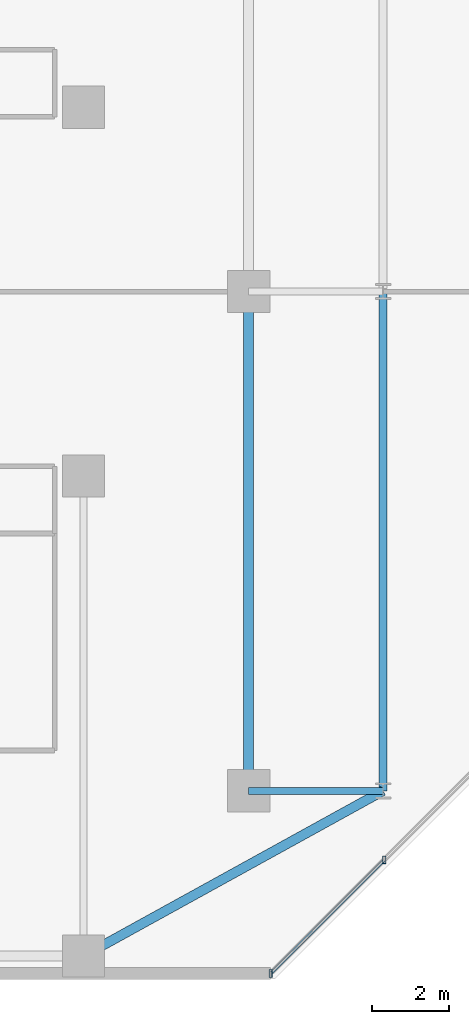
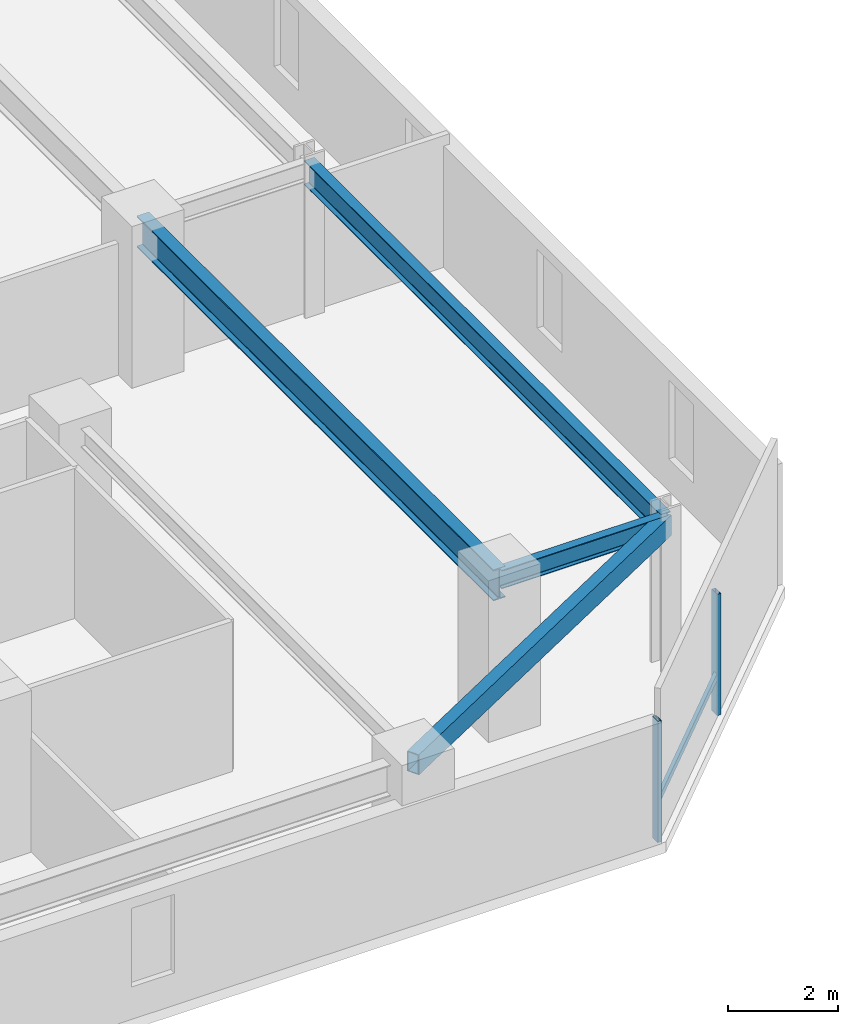
# One storey, part 5 of 32: 4 beams, 3 members, 1 element without a shape of its own.
"""IFC4 building model written with IfcOpenShell, lengths in metres."""

from ifc_helpers import new_model, si_unit, direction, frame, origin, origin_2d, place, context, subcontext, project, spatial, hollow_rectangle, i_section, extrude, material, material_profile, profile_set, type_object, element, aggregate, save


model = new_model("IFC4")

# Units and contexts
model_context = context("Model", 3, precision=1e-05, world=origin(), true_north=direction((0.0, 1.0)))
body_context = subcontext(model_context, "Body", "Model", "MODEL_VIEW")
ifc_project = project(units=[si_unit("LENGTHUNIT", "METRE"), si_unit("AREAUNIT", "SQUARE_METRE"), si_unit("VOLUMEUNIT", "CUBIC_METRE"), si_unit("PLANEANGLEUNIT", "RADIAN"), si_unit("MASSUNIT", "GRAM", prefix="KILO")], contexts=[model_context])

# Site, building, storey
site_placement = place(None, origin())
site = spatial("IfcSite", under=ifc_project, at=site_placement, CompositionType="ELEMENT")
building_placement = place(site_placement, origin())
building = spatial("IfcBuilding", under=site, at=building_placement, Name="Thornwick Lancets Civic Towers", CompositionType="ELEMENT")
storey_placement = place(building_placement, frame((0.0, 0.0, 178.5)))
storey = spatial("IfcBuildingStorey", under=building, at=storey_placement, Name="L47", CompositionType="ELEMENT", Elevation=178.5)

# Beams
ifc_material_1 = material(Name="Steel S355JR", Category="steel")
ifc_material_profile_1 = material_profile(ifc_material_1, i_section(OverallWidth=0.210693359375, OverallDepth=0.53955078125, WebThickness=0.01171875, FlangeThickness=0.018798828125, FilletRadius=0.0126953125, at=origin_2d()), Name="UKB 533x210x109")
ifc_profile_set_1 = profile_set([ifc_material_profile_1], Name="Steel S355JR")
beam_type_1 = type_object("IfcBeamType", Name="BM_EDGE_533_109", PredefinedType="SPANDREL", material=ifc_profile_set_1)
beam_1_placement = place(storey_placement, frame((46.300048828125, 14.0, 3.09033203125), z_axis=(0.0, 1.0, 0.0), x_axis=(-1.0, 0.0, 0.0)))
element("IfcBeam", 1, at=beam_1_placement, inside=storey, type_object=beam_type_1, Name="BM-EDGE-L47-A-S1-1", PredefinedType="SPANDREL", context=body_context, shape_type="SweptSolid", body=[
    extrude(i_section(OverallWidth=0.210693359375, OverallDepth=0.53955078125, WebThickness=0.01171875, FlangeThickness=0.018798828125, FilletRadius=0.0126953125, at=origin_2d()), origin(), (0.0, 0.0, 1.0), 13.0),
])
ifc_material_profile_2 = material_profile(ifc_material_1, i_section(OverallWidth=0.255859375, OverallDepth=0.69287109375, WebThickness=0.014404296875, FlangeThickness=0.023681640625, FilletRadius=0.01513671875, at=origin_2d()), Name="UKB 686x254x170")
ifc_profile_set_2 = profile_set([ifc_material_profile_2], Name="Steel S355JR")
beam_type_2 = type_object("IfcBeamType", Name="BM_GIRD_686_170", PredefinedType="BEAM", material=ifc_profile_set_2)
beam_2_placement = place(storey_placement, frame((42.800048828125, 14.0, 3.013671875), z_axis=(0.0, 1.0, 0.0), x_axis=(-1.0, 0.0, 0.0)))
element("IfcBeam", 2, at=beam_2_placement, inside=storey, type_object=beam_type_2, Name="BM-SPINE-L47-A-3-4", PredefinedType="BEAM", context=body_context, shape_type="SweptSolid", body=[
    extrude(i_section(OverallWidth=0.255859375, OverallDepth=0.69287109375, WebThickness=0.014404296875, FlangeThickness=0.023681640625, FilletRadius=0.01513671875, at=origin_2d()), origin(), (0.0, 0.0, 1.0), 13.0),
])
ifc_material_profile_3 = material_profile(ifc_material_1, i_section(OverallWidth=0.179443359375, OverallDepth=0.412841796875, WebThickness=0.009521484375, FlangeThickness=0.01611328125, FilletRadius=0.01025390625, at=origin_2d()), Name="UKB 406x178x74")
ifc_profile_set_3 = profile_set([ifc_material_profile_3], Name="Steel S355JR")
beam_type_3 = type_object("IfcBeamType", Name="BM_JOIST_406_74", PredefinedType="JOIST", material=ifc_profile_set_3)
beam_3_placement = place(storey_placement, frame((42.800048828125, 14.0, 3.153564453125), z_axis=(1.0, 0.0, 0.0), x_axis=(0.0, 1.0, 0.0)))
element("IfcBeam", 3, at=beam_3_placement, inside=storey, type_object=beam_type_3, Name="BM-RAD-L47-A04", PredefinedType="JOIST", context=body_context, shape_type="SweptSolid", body=[
    extrude(i_section(OverallWidth=0.179443359375, OverallDepth=0.412841796875, WebThickness=0.009521484375, FlangeThickness=0.01611328125, FilletRadius=0.01025390625, at=origin_2d()), origin(), (0.0, 0.0, 1.0), 3.5),
])
ifc_material_profile_4 = material_profile(ifc_material_1, hollow_rectangle(XDim=0.25, YDim=0.449951171875, WallThickness=0.01611328125, at=origin_2d()), Name="RHS 450x250x16")
ifc_profile_set_4 = profile_set([ifc_material_profile_4], Name="Steel S355JR")
beam_type_4 = type_object("IfcBeamType", Name="BM_RING_RHS450", PredefinedType="BEAM", material=ifc_profile_set_4)
beam_4_placement = place(storey_placement, frame((38.5, 9.699951171875, 3.135009765625), z_axis=(0.875740348708, 0.482782395749, 0.0), x_axis=(-0.482782395749, 0.875740348708, 0.0)))
element("IfcBeam", 4, at=beam_4_placement, inside=storey, type_object=beam_type_4, Name="BM-CHAMF-L47-A-C0", PredefinedType="BEAM", context=body_context, shape_type="SweptSolid", body=[
    extrude(hollow_rectangle(XDim=0.25, YDim=0.449951171875, WallThickness=0.01611328125, at=origin_2d()), origin(), (0.0, 0.0, 1.0), 8.90673828125),
])

# Curtain wall, members
ifc_material_2 = material(Name="Mid-zone chamfered-corner unitised glass curtain wall", Category="glass")
curtain_wall_type = type_object("IfcCurtainWallType", Name="CW_SYS_04", PredefinedType="NOTDEFINED", material=ifc_material_2)
curtain_wall_placement = place(storey_placement, origin())
curtain_wall = element("IfcCurtainWall", 5, at=curtain_wall_placement, inside=storey, type_object=curtain_wall_type, Name="L47 Curtain Wall CW-L47-A-E1", PredefinedType="NOTDEFINED")
ifc_material_3 = material(Name="Thermally broken bronze aluminium S355", Category="steel")
ifc_material_profile_5 = material_profile(ifc_material_3, hollow_rectangle(XDim=0.080078125, YDim=0.199951171875, WallThickness=0.006103515625, at=origin_2d()), Name="RHS 200x80x6")
ifc_profile_set_5 = profile_set([ifc_material_profile_5], Name="Thermally broken bronze aluminium S355")
member_type_1 = type_object("IfcMemberType", Name="CW_MUL_200", PredefinedType="MULLION", material=ifc_profile_set_5)
member_1_placement = place(storey_placement, frame((43.372314453125, 9.246337890625, 0.0), z_axis=(0.0, 0.0, 1.0), x_axis=(1.0, 0.0, 0.0)))
member_1 = element("IfcMember", 6, at=member_1_placement, type_object=member_type_1, Name="CW-L47-A-E1 Mullion 0", PredefinedType="MULLION", context=body_context, shape_type="SweptSolid", body=[
    extrude(hollow_rectangle(XDim=0.080078125, YDim=0.199951171875, WallThickness=0.006103515625, at=origin_2d()), origin(), (0.0, 0.0, 1.0), 2.699951171875),
])
member_2_placement = place(storey_placement, frame((46.3291015625, 12.203125, 0.0), z_axis=(0.0, 0.0, 1.0), x_axis=(1.0, 0.0, 0.0)))
member_2 = element("IfcMember", 7, at=member_2_placement, type_object=member_type_1, Name="CW-L47-A-E1 Mullion 1", PredefinedType="MULLION", context=body_context, shape_type="SweptSolid", body=[
    extrude(hollow_rectangle(XDim=0.080078125, YDim=0.199951171875, WallThickness=0.006103515625, at=origin_2d()), origin(), (0.0, 0.0, 1.0), 2.699951171875),
])
ifc_material_profile_6 = material_profile(ifc_material_3, hollow_rectangle(XDim=0.074951171875, YDim=0.14990234375, WallThickness=0.0048828125, at=origin_2d()), Name="RHS 150x75x5")
ifc_profile_set_6 = profile_set([ifc_material_profile_6], Name="Thermally broken bronze aluminium S355")
member_type_2 = type_object("IfcMemberType", Name="CW_TRN_150", PredefinedType="USERDEFINED", material=ifc_profile_set_6)
member_3_placement = place(storey_placement, frame((43.38623046875, 9.260498046875, 0.85009765625), z_axis=(0.707136254407, 0.707077306737, 0.0), x_axis=(-0.707077306737, 0.707136254407, 0.0)))
member_3 = element("IfcMember", 8, at=member_3_placement, type_object=member_type_2, Name="CW-L47-A-E1 Transom 0", ObjectType="TRANSOM", PredefinedType="USERDEFINED", context=body_context, shape_type="SweptSolid", body=[
    extrude(hollow_rectangle(XDim=0.074951171875, YDim=0.14990234375, WallThickness=0.0048828125, at=origin_2d()), origin(), (0.0, 0.0, 1.0), 4.1416015625),
])
aggregate(curtain_wall, [member_1, member_2, member_3])

save(model, "model.ifc")
